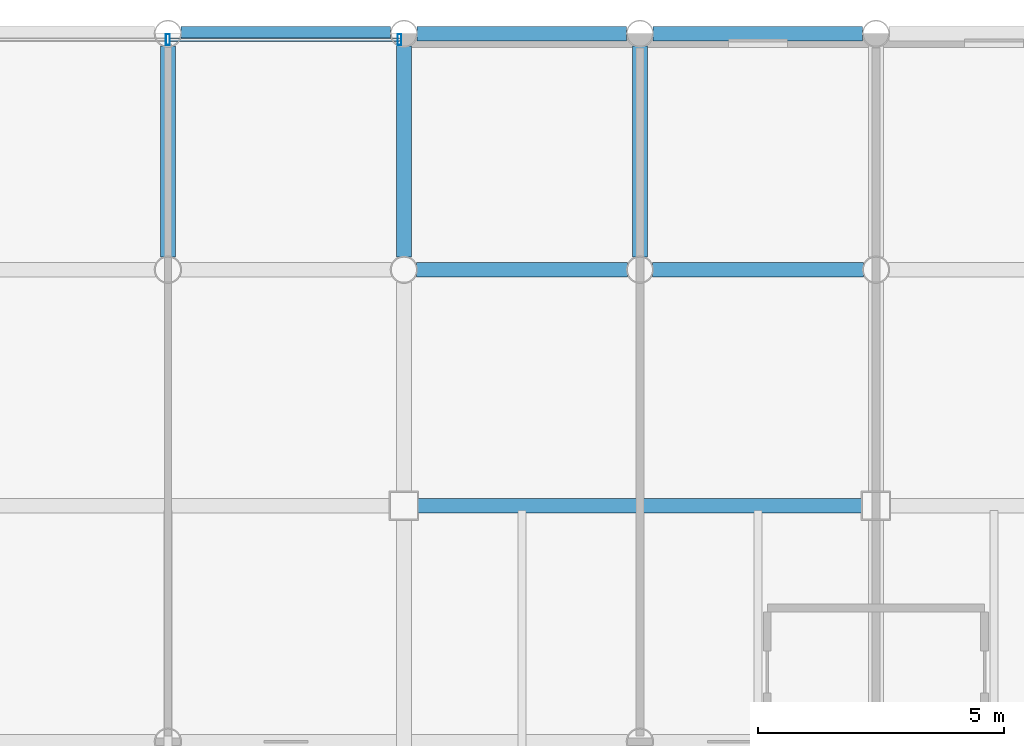
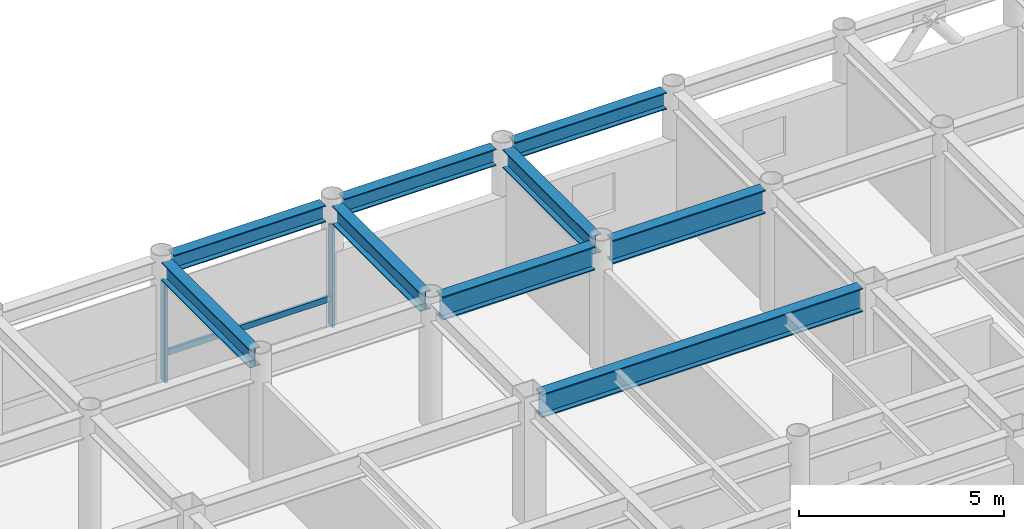
# One storey, part 15 of 22: 9 beams, 3 members, 1 element without a shape of its own.
"""IFC4 building model written with IfcOpenShell, lengths in metres."""

from ifc_helpers import new_model, si_unit, direction, frame, origin, origin_2d, place, context, subcontext, project, spatial, hollow_rectangle, i_section, extrude, material, layer, layer_set, material_profile, profile_set, type_object, element, aggregate, save


model = new_model("IFC4")

# Units and contexts
model_context = context("Model", 3, precision=1e-05, world=origin(), true_north=direction((0.0, 1.0)))
body_context = subcontext(model_context, "Body", "Model", "MODEL_VIEW")
ifc_project = project(units=[si_unit("LENGTHUNIT", "METRE"), si_unit("AREAUNIT", "SQUARE_METRE"), si_unit("VOLUMEUNIT", "CUBIC_METRE"), si_unit("PLANEANGLEUNIT", "RADIAN"), si_unit("MASSUNIT", "GRAM", prefix="KILO")], contexts=[model_context])

# Site, building, storey
site_placement = place(None, origin())
site = spatial("IfcSite", under=ifc_project, at=site_placement, CompositionType="ELEMENT")
building_placement = place(site_placement, origin())
building = spatial("IfcBuilding", under=site, at=building_placement, Name="Kallvorn Hotel Tower", CompositionType="ELEMENT")
storey_placement = place(building_placement, frame((0.0, 0.0, 264.64990234375)))
storey = spatial("IfcBuildingStorey", under=building, at=storey_placement, Name="L66", CompositionType="ELEMENT", Elevation=264.64990234375)

# Beams
ifc_material_1 = material(Name="Structural steel S355JR", Category="steel")
ifc_material_profile_1 = material_profile(ifc_material_1, i_section(OverallWidth=0.300048828125, OverallDepth=0.5, WebThickness=0.014404296875, FlangeThickness=0.028076171875, at=origin_2d()), Name="HE 500 B")
ifc_profile_set_1 = profile_set([ifc_material_profile_1], Name="Structural steel S355JR")
beam_type_1 = type_object("IfcBeamType", Name="BM_HE500B", PredefinedType="SPANDREL", material=ifc_profile_set_1)
for number, where, z_axis, x_axis, name in (
    (1, (0.26953125, 24.0, 3.420166015625), (1.0, 0.0, 0.0), (0.0, 1.0, 0.0), "L67 Perimeter Spandrel 169"),
    (2, (5.069580078125, 24.0, 3.420166015625), (1.0, 0.0, 0.0), (0.0, 1.0, 0.0), "L67 Perimeter Spandrel 170"),
):
    element("IfcBeam", number, at=place(storey_placement, frame(where, z_axis=z_axis, x_axis=x_axis)), inside=storey, type_object=beam_type_1, Name=name, PredefinedType="SPANDREL", context=body_context, shape_type="SweptSolid", body=[
        extrude(i_section(OverallWidth=0.300048828125, OverallDepth=0.5, WebThickness=0.014404296875, FlangeThickness=0.028076171875, at=origin_2d()), origin(), (0.0, 0.0, 1.0), 4.260986328125),
    ])
beam_1_placement = place(storey_placement, frame((9.869384765625, 24.0, 3.420166015625), z_axis=(1.0, 0.0, 0.0), x_axis=(0.0, 1.0, 0.0)))
element("IfcBeam", 3, at=beam_1_placement, inside=storey, type_object=beam_type_1, Name="L67 Perimeter Spandrel 171", PredefinedType="SPANDREL", context=body_context, shape_type="SweptSolid", body=[
    extrude(i_section(OverallWidth=0.300048828125, OverallDepth=0.5, WebThickness=0.014404296875, FlangeThickness=0.028076171875, at=origin_2d()), origin(), (0.0, 0.0, 1.0), 4.26123046875),
])
ifc_material_2 = material(Name="Structural steel S355JR", Category="steel")
ifc_material_profile_2 = material_profile(ifc_material_2, i_section(OverallWidth=0.300048828125, OverallDepth=0.550048828125, WebThickness=0.014892578125, FlangeThickness=0.029052734375, at=origin_2d()), Name="HE 550 B")
ifc_profile_set_2 = profile_set([ifc_material_profile_2], Name="Structural steel S355JR")
beam_type_2 = type_object("IfcBeamType", Name="BM_HE550B", PredefinedType="SPANDREL", material=ifc_profile_set_2)
for number, where, z_axis, x_axis, name in (
    (4, (0.0, 19.45458984375, 3.39501953125), (0.0, 1.0, 0.0), (-1.0, 0.0, 0.0), "L67 Primary Y-Girder 113"),
    (5, (4.800048828125, 19.45458984375, 3.39501953125), (0.0, 1.0, 0.0), (-1.0, 0.0, 0.0), "L67 Primary Y-Girder 118"),
    (6, (9.60009765625, 19.45458984375, 3.39501953125), (0.0, 1.0, 0.0), (-1.0, 0.0, 0.0), "L67 Primary Y-Girder 121"),
):
    element("IfcBeam", number, at=place(storey_placement, frame(where, z_axis=z_axis, x_axis=x_axis)), inside=storey, type_object=beam_type_2, Name=name, PredefinedType="SPANDREL", context=body_context, shape_type="SweptSolid", body=[
        extrude(i_section(OverallWidth=0.300048828125, OverallDepth=0.550048828125, WebThickness=0.014892578125, FlangeThickness=0.029052734375, at=origin_2d()), origin(), (0.0, 0.0, 1.0), 4.291015625),
    ])
ifc_material_3 = material(Name="Structural steel S355JR", Category="steel")
ifc_material_profile_3 = material_profile(ifc_material_3, i_section(OverallWidth=0.300048828125, OverallDepth=0.699951171875, WebThickness=0.01708984375, FlangeThickness=0.031982421875, at=origin_2d()), Name="HE 700 B")
ifc_profile_set_3 = profile_set([ifc_material_profile_3], Name="Structural steel S355JR")
beam_type_3 = type_object("IfcBeamType", Name="BM_HE700B", PredefinedType="BEAM", material=ifc_profile_set_3)
beam_2_placement = place(storey_placement, frame((5.074951171875, 14.39990234375, 3.320068359375), z_axis=(1.0, 0.0, 0.0), x_axis=(0.0, 1.0, 0.0)))
element("IfcBeam", 7, at=beam_2_placement, inside=storey, type_object=beam_type_3, Name="L67 Primary X-Girder 56", PredefinedType="BEAM", context=body_context, shape_type="SweptSolid", body=[
    extrude(i_section(OverallWidth=0.300048828125, OverallDepth=0.699951171875, WebThickness=0.01708984375, FlangeThickness=0.031982421875, at=origin_2d()), origin(), (0.0, 0.0, 1.0), 9.050048828125),
])
for number, where, z_axis, x_axis, name in (
    (8, (5.054443359375, 19.199951171875, 3.320068359375), (1.0, 0.0, 0.0), (0.0, 1.0, 0.0), "L67 Primary X-Girder 68"),
    (9, (9.8544921875, 19.199951171875, 3.320068359375), (1.0, 0.0, 0.0), (0.0, 1.0, 0.0), "L67 Primary X-Girder 69"),
):
    element("IfcBeam", number, at=place(storey_placement, frame(where, z_axis=z_axis, x_axis=x_axis)), inside=storey, type_object=beam_type_3, Name=name, PredefinedType="BEAM", context=body_context, shape_type="SweptSolid", body=[
        extrude(i_section(OverallWidth=0.300048828125, OverallDepth=0.699951171875, WebThickness=0.01708984375, FlangeThickness=0.031982421875, at=origin_2d()), origin(), (0.0, 0.0, 1.0), 4.291015625),
    ])

# Curtain wall, members
ifc_material_4 = material(Name="Thermally broken black-anodised aluminium AA 6063-T6", Category="aluminium")
ifc_layer = layer(ifc_material_4, 0.22998046875)
ifc_layer_set = layer_set([ifc_layer], Name="CW_SYS_5_HOTEL_HIGH")
curtain_wall_type = type_object("IfcCurtainWallType", Name="CW_SYS_5_HOTEL_HIGH", PredefinedType="USERDEFINED", material=ifc_layer_set)
curtain_wall_placement = place(storey_placement, origin())
curtain_wall = element("IfcCurtainWall", 10, at=curtain_wall_placement, inside=storey, type_object=curtain_wall_type, Name="L66 Dark-Glass Curtain Wall CW-L66-NC", ObjectType="UNITISED CURTAIN WALL", PredefinedType="USERDEFINED")
ifc_material_5 = material(Name="Thermally broken black-anodised aluminium AA 6063-T6", Category="aluminium")
ifc_material_profile_4 = material_profile(ifc_material_5, hollow_rectangle(XDim=0.080078125, YDim=0.219970703125, WallThickness=0.0048828125, at=origin_2d()), Name="MUL 220x80")
ifc_profile_set_4 = profile_set([ifc_material_profile_4], Name="Thermally broken black-anodised aluminium AA 6063-T6")
member_type_1 = type_object("IfcMemberType", Name="CW_MULLION_220x80", PredefinedType="MULLION", material=ifc_profile_set_4)
member_1_placement = place(storey_placement, frame((0.0, 23.8798828125, 0.02001953125), z_axis=(0.0, 0.0, 1.0), x_axis=(1.0, 0.0, 0.0)))
member_1 = element("IfcMember", 11, at=member_1_placement, type_object=member_type_1, Name="CW-L66-NC Mullion 01", PredefinedType="MULLION", context=body_context, shape_type="SweptSolid", body=[
    extrude(hollow_rectangle(XDim=0.080078125, YDim=0.219970703125, WallThickness=0.0048828125, at=origin_2d()), origin(), (0.0, 0.0, 1.0), 2.97998046875),
])
member_2_placement = place(storey_placement, frame((4.7099609375, 23.8798828125, 0.02001953125), z_axis=(0.0, 0.0, 1.0), x_axis=(1.0, 0.0, 0.0)))
member_2 = element("IfcMember", 12, at=member_2_placement, type_object=member_type_1, Name="CW-L66-NC Mullion 02", PredefinedType="MULLION", context=body_context, shape_type="SweptSolid", body=[
    extrude(hollow_rectangle(XDim=0.080078125, YDim=0.219970703125, WallThickness=0.0048828125, at=origin_2d()), origin(), (0.0, 0.0, 1.0), 2.97998046875),
])
ifc_material_6 = material(Name="Thermally broken black-anodised aluminium AA 6063-T6", Category="aluminium")
ifc_material_profile_5 = material_profile(ifc_material_6, hollow_rectangle(XDim=0.070068359375, YDim=0.179931640625, WallThickness=0.00390625, at=origin_2d()), Name="TRN 180x70")
ifc_profile_set_5 = profile_set([ifc_material_profile_5], Name="Thermally broken black-anodised aluminium AA 6063-T6")
member_type_2 = type_object("IfcMemberType", Name="CW_TRANSOM_180x70", PredefinedType="USERDEFINED", material=ifc_profile_set_5)
member_3_placement = place(storey_placement, frame((0.0400390625, 23.8798828125, 0.85009765625), z_axis=(1.0, 0.0, 0.0), x_axis=(0.0, 1.0, 0.0)))
member_3 = element("IfcMember", 13, at=member_3_placement, type_object=member_type_2, Name="CW-L66-NC Transom 01M", ObjectType="TRANSOM", PredefinedType="USERDEFINED", context=body_context, shape_type="SweptSolid", body=[
    extrude(hollow_rectangle(XDim=0.070068359375, YDim=0.179931640625, WallThickness=0.00390625, at=origin_2d()), origin(), (0.0, 0.0, 1.0), 4.669921875),
])
aggregate(curtain_wall, [member_1, member_2, member_3])

save(model, "model.ifc")
